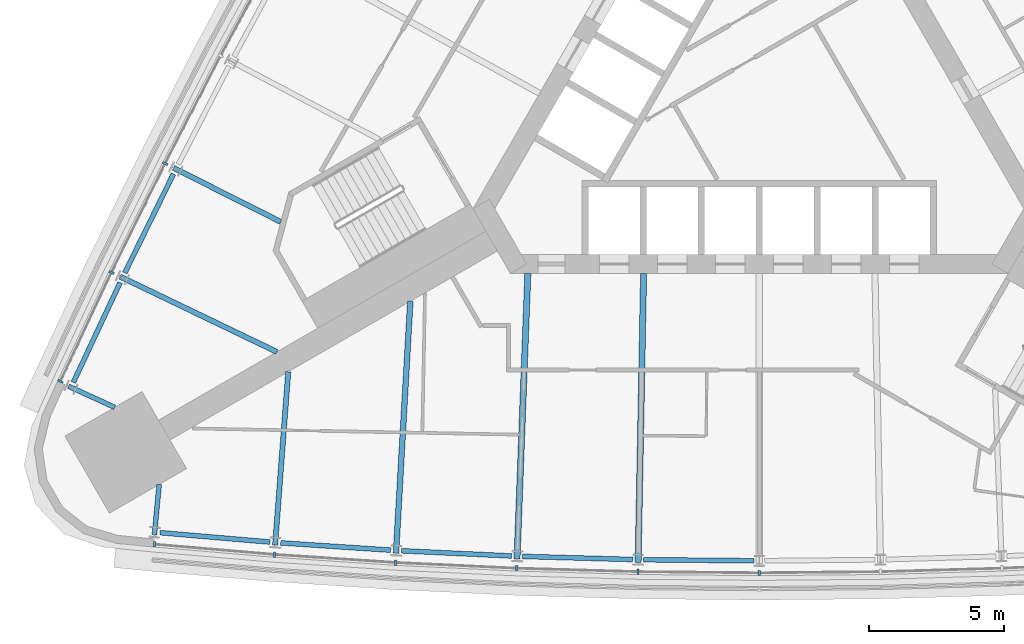
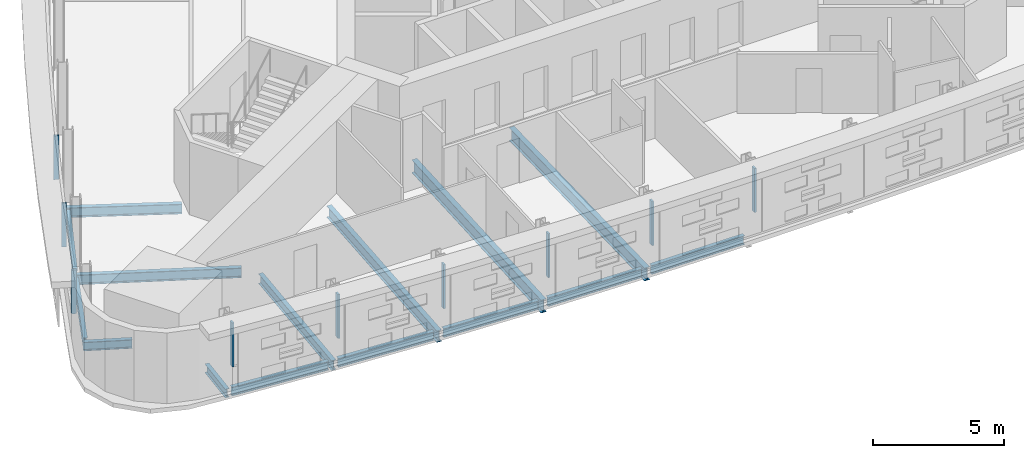
# One storey, part 2 of 15: 15 beams, 9 members, 2 elements without a shape of their own.
"""IFC4 building model written with IfcOpenShell, lengths in metres."""

from ifc_helpers import new_model, si_unit, direction, frame, origin, origin_2d, place, context, subcontext, project, spatial, rectangle, i_section, extrude, material, material_profile, profile_set, type_object, element, aggregate, save


model = new_model("IFC4")

# Units and contexts
model_context = context("Model", 3, precision=1e-05, world=origin(), true_north=direction((0.0, 1.0)))
body_context = subcontext(model_context, "Body", "Model", "MODEL_VIEW")
ifc_project = project(units=[si_unit("LENGTHUNIT", "METRE"), si_unit("AREAUNIT", "SQUARE_METRE"), si_unit("VOLUMEUNIT", "CUBIC_METRE"), si_unit("PLANEANGLEUNIT", "RADIAN"), si_unit("MASSUNIT", "GRAM", prefix="KILO")], contexts=[model_context])

# Site, building, storey
site_placement = place(None, origin())
site = spatial("IfcSite", under=ifc_project, at=site_placement, CompositionType="ELEMENT")
building_placement = place(site_placement, origin())
building = spatial("IfcBuilding", under=site, at=building_placement, Name="Noor Cloister Tower", CompositionType="ELEMENT")
storey_placement = place(building_placement, frame((0.0, 0.0, 45.60009765625)))
storey = spatial("IfcBuildingStorey", under=building, at=storey_placement, Name="L11", CompositionType="ELEMENT", Elevation=45.60009765625)

# Curtain wall, members
ifc_material_1 = material(Name="Aluminium 6063-T6 anodised", Category="aluminium")
curtain_wall_type = type_object("IfcCurtainWallType", Name="Ribbon curtain wall, lower tower CW1", PredefinedType="NOTDEFINED", material=ifc_material_1)
curtain_wall_1_placement = place(storey_placement, origin())
curtain_wall_1 = element("IfcCurtainWall", 1, at=curtain_wall_1_placement, inside=storey, type_object=curtain_wall_type, Name="CW1 L11 NW run 1", PredefinedType="NOTDEFINED")
ifc_material_2 = material(Name="Aluminium 6063-T6 anodised", Category="aluminium")
ifc_material_profile_1 = material_profile(ifc_material_2, rectangle(XDim=0.199951171875, YDim=0.080078125, at=origin_2d()), Name="200 x 80 mullion")
ifc_profile_set_1 = profile_set([ifc_material_profile_1], Name="Aluminium 6063-T6 anodised")
member_type = type_object("IfcMemberType", Name="Mullion CW1 80 x 200", PredefinedType="MULLION", material=ifc_profile_set_1)
member_1_placement = place(storey_placement, frame((-22.027587890625, -2.85595703125, 1.099853515625), z_axis=(0.0, 0.0, 1.0), x_axis=(0.89298996469, -0.450076574554, 0.0)))
member_1 = element("IfcMember", 2, at=member_1_placement, type_object=member_type, Name="CW1 mullion 9", PredefinedType="MULLION", context=body_context, shape_type="SweptSolid", body=[
    extrude(rectangle(XDim=0.199951171875, YDim=0.080078125, at=origin_2d()), origin(), (0.0, 0.0, 1.0), 2.050048828125),
])
member_2_placement = place(storey_placement, frame((-24.013916015625, -6.8916015625, 1.099853515625), z_axis=(0.0, 0.0, 1.0), x_axis=(0.901343302509, -0.433105357877, 0.0)))
member_2 = element("IfcMember", 3, at=member_2_placement, type_object=member_type, Name="CW1 mullion 10", PredefinedType="MULLION", context=body_context, shape_type="SweptSolid", body=[
    extrude(rectangle(XDim=0.199951171875, YDim=0.080078125, at=origin_2d()), origin(), (0.0, 0.0, 1.0), 2.050048828125),
])
member_3_placement = place(storey_placement, frame((-25.906982421875, -10.9287109375, 1.099853515625), z_axis=(0.0, 0.0, 1.0), x_axis=(0.905399212131, -0.424561263744, 0.0)))
member_3 = element("IfcMember", 4, at=member_3_placement, type_object=member_type, Name="CW1 mullion 11", PredefinedType="MULLION", context=body_context, shape_type="SweptSolid", body=[
    extrude(rectangle(XDim=0.199951171875, YDim=0.080078125, at=origin_2d()), origin(), (0.0, 0.0, 1.0), 2.050048828125),
])
aggregate(curtain_wall_1, [member_1, member_2, member_3])

curtain_wall_2_placement = place(storey_placement, origin())
curtain_wall_2 = element("IfcCurtainWall", 5, at=curtain_wall_2_placement, inside=storey, type_object=curtain_wall_type, Name="CW1 L11 S run 2", PredefinedType="NOTDEFINED")
member_4_placement = place(storey_placement, frame((-22.418212890625, -16.9716796875, 1.099853515625), z_axis=(0.0, 0.0, 1.0), x_axis=(0.085018766201, 0.996379350144, 0.0)))
member_4 = element("IfcMember", 6, at=member_4_placement, type_object=member_type, Name="CW1 mullion 1", PredefinedType="MULLION", context=body_context, shape_type="SweptSolid", body=[
    extrude(rectangle(XDim=0.199951171875, YDim=0.080078125, at=origin_2d()), origin(), (0.0, 0.0, 1.0), 2.050048828125),
])
member_5_placement = place(storey_placement, frame((-17.975341796875, -17.350830078125, 1.099853515625), z_axis=(0.0, 0.0, 1.0), x_axis=(0.075591408818, 0.997138876442, 0.0)))
member_5 = element("IfcMember", 7, at=member_5_placement, type_object=member_type, Name="CW1 mullion 2", PredefinedType="MULLION", context=body_context, shape_type="SweptSolid", body=[
    extrude(rectangle(XDim=0.199951171875, YDim=0.080078125, at=origin_2d()), origin(), (0.0, 0.0, 1.0), 2.050048828125),
])
member_6_placement = place(storey_placement, frame((-13.487060546875, -17.6484375, 1.099853515625), z_axis=(0.0, 0.0, 1.0), x_axis=(0.056717235133, 0.998390282023, 0.0)))
member_6 = element("IfcMember", 8, at=member_6_placement, type_object=member_type, Name="CW1 mullion 3", PredefinedType="MULLION", context=body_context, shape_type="SweptSolid", body=[
    extrude(rectangle(XDim=0.199951171875, YDim=0.080078125, at=origin_2d()), origin(), (0.0, 0.0, 1.0), 2.050048828125),
])
member_7_placement = place(storey_placement, frame((-8.994140625, -17.861083984375, 1.099853515625), z_axis=(0.0, 0.0, 1.0), x_axis=(0.037822767995, 0.999284463114, 0.0)))
member_7 = element("IfcMember", 9, at=member_7_placement, type_object=member_type, Name="CW1 mullion 4", PredefinedType="MULLION", context=body_context, shape_type="SweptSolid", body=[
    extrude(rectangle(XDim=0.199951171875, YDim=0.080078125, at=origin_2d()), origin(), (0.0, 0.0, 1.0), 2.050048828125),
])
member_8_placement = place(storey_placement, frame((-4.497802734375, -17.988525390625, 1.099853515625), z_axis=(0.0, 0.0, 1.0), x_axis=(0.018914767854, 0.999821099776, 0.0)))
member_8 = element("IfcMember", 10, at=member_8_placement, type_object=member_type, Name="CW1 mullion 5", PredefinedType="MULLION", context=body_context, shape_type="SweptSolid", body=[
    extrude(rectangle(XDim=0.199951171875, YDim=0.080078125, at=origin_2d()), origin(), (0.0, 0.0, 1.0), 2.050048828125),
])
member_9_placement = place(storey_placement, frame((0.0, -18.03125, 1.099853515625), z_axis=(0.0, 0.0, 1.0), x_axis=(0.0, 1.0, 0.0)))
member_9 = element("IfcMember", 11, at=member_9_placement, type_object=member_type, Name="CW1 mullion 6", PredefinedType="MULLION", context=body_context, shape_type="SweptSolid", body=[
    extrude(rectangle(XDim=0.199951171875, YDim=0.080078125, at=origin_2d()), origin(), (0.0, 0.0, 1.0), 2.050048828125),
])
aggregate(curtain_wall_2, [member_4, member_5, member_6, member_7, member_8, member_9])

# Beams
ifc_material_3 = material(Name="Steel ASTM A992 Gr 50", Category="steel")
ifc_material_profile_2 = material_profile(ifc_material_3, i_section(OverallWidth=0.177978515625, OverallDepth=0.406005859375, WebThickness=0.0078125, FlangeThickness=0.0126953125, FilletRadius=0.01025390625, at=origin_2d()), Name="W410x60")
ifc_profile_set_2 = profile_set([ifc_material_profile_2], Name="Steel ASTM A992 Gr 50")
beam_type_1 = type_object("IfcBeamType", Name="Radial beam W410x60", PredefinedType="BEAM", material=ifc_profile_set_2)
for number, where, z_axis, x_axis, name in (
    (12, (-25.6025390625, -11.111083984375, -0.403076171875), (0.909401352504, -0.415919679823, 0.0), (0.415919679823, 0.909401352504, 0.0), "Radial beam NW 11 L11"),
    (13, (-22.423583984375, -16.616943359375, -0.403076171875), (0.094348489313, 0.995539232057, 0.0), (-0.995539232057, 0.094348489313, 0.0), "Radial beam S 01 L11"),
):
    element("IfcBeam", number, at=place(storey_placement, frame(where, z_axis=z_axis, x_axis=x_axis)), inside=storey, type_object=beam_type_1, Name=name, PredefinedType="BEAM", context=body_context, shape_type="SweptSolid", body=[
        extrude(i_section(OverallWidth=0.177978515625, OverallDepth=0.406005859375, WebThickness=0.0078125, FlangeThickness=0.0126953125, FilletRadius=0.01025390625, at=origin_2d()), origin(), (0.0, 0.0, 1.0), 1.8759765625),
    ])
ifc_material_4 = material(Name="Steel ASTM A992 Gr 50", Category="steel")
ifc_material_profile_3 = material_profile(ifc_material_4, i_section(OverallWidth=0.19091796875, OverallDepth=0.45703125, WebThickness=0.009033203125, FlangeThickness=0.014404296875, FilletRadius=0.01025390625, at=origin_2d()), Name="W460x74")
ifc_profile_set_3 = profile_set([ifc_material_profile_3], Name="Steel ASTM A992 Gr 50")
beam_type_2 = type_object("IfcBeamType", Name="Radial beam W460x74", PredefinedType="BEAM", material=ifc_profile_set_3)
beam_1_placement = place(storey_placement, frame((-21.712158203125, -3.014892578125, -0.4287109375), z_axis=(0.892985724699, -0.450084986956, 0.0), x_axis=(0.450084986956, 0.892985724699, 0.0)))
element("IfcBeam", 14, at=beam_1_placement, inside=storey, type_object=beam_type_2, Name="Radial beam NW 09 L11", PredefinedType="BEAM", context=body_context, shape_type="SweptSolid", body=[
    extrude(i_section(OverallWidth=0.19091796875, OverallDepth=0.45703125, WebThickness=0.009033203125, FlangeThickness=0.014404296875, FilletRadius=0.01025390625, at=origin_2d()), origin(), (0.0, 0.0, 1.0), 4.45166015625),
])
beam_2_placement = place(storey_placement, frame((-23.69580078125, -7.04443359375, -0.4287109375), z_axis=(0.901339737011, -0.43311277802, 0.0), x_axis=(0.43311277802, 0.901339737011, 0.0)))
element("IfcBeam", 15, at=beam_2_placement, inside=storey, type_object=beam_type_2, Name="Radial beam NW 10 L11", PredefinedType="BEAM", context=body_context, shape_type="SweptSolid", body=[
    extrude(i_section(OverallWidth=0.19091796875, OverallDepth=0.45703125, WebThickness=0.009033203125, FlangeThickness=0.014404296875, FilletRadius=0.01025390625, at=origin_2d()), origin(), (0.0, 0.0, 1.0), 6.4453125),
])
beam_3_placement = place(storey_placement, frame((-17.948486328125, -16.998779296875, -0.4287109375), z_axis=(0.07556964555, 0.99714052604, 0.0), x_axis=(-0.99714052604, 0.07556964555, 0.0)))
element("IfcBeam", 16, at=beam_3_placement, inside=storey, type_object=beam_type_2, Name="Radial beam S 02 L11", PredefinedType="BEAM", context=body_context, shape_type="SweptSolid", body=[
    extrude(i_section(OverallWidth=0.19091796875, OverallDepth=0.45703125, WebThickness=0.009033203125, FlangeThickness=0.014404296875, FilletRadius=0.01025390625, at=origin_2d()), origin(), (0.0, 0.0, 1.0), 6.445068359375),
])
ifc_material_5 = material(Name="Steel ASTM A992 Gr 50", Category="steel")
ifc_material_profile_4 = material_profile(ifc_material_5, i_section(OverallWidth=0.208984375, OverallDepth=0.532958984375, WebThickness=0.01025390625, FlangeThickness=0.015625, FilletRadius=0.0126953125, at=origin_2d()), Name="W530x92")
ifc_profile_set_4 = profile_set([ifc_material_profile_4], Name="Steel ASTM A992 Gr 50")
beam_type_3 = type_object("IfcBeamType", Name="Radial beam W530x92", PredefinedType="BEAM", material=ifc_profile_set_4)
beam_4_placement = place(storey_placement, frame((-13.467041015625, -17.2958984375, -0.466552734375), z_axis=(0.05670628497, 0.998390904028, 0.0), x_axis=(-0.998390904028, 0.05670628497, 0.0)))
element("IfcBeam", 17, at=beam_4_placement, inside=storey, type_object=beam_type_3, Name="Radial beam S 03 L11", PredefinedType="BEAM", context=body_context, shape_type="SweptSolid", body=[
    extrude(i_section(OverallWidth=0.208984375, OverallDepth=0.532958984375, WebThickness=0.01025390625, FlangeThickness=0.015625, FilletRadius=0.0126953125, at=origin_2d()), origin(), (0.0, 0.0, 1.0), 9.351318359375),
])
ifc_material_6 = material(Name="Steel ASTM A992 Gr 50", Category="steel")
ifc_material_profile_5 = material_profile(ifc_material_6, i_section(OverallWidth=0.22802734375, OverallDepth=0.60205078125, WebThickness=0.010498046875, FlangeThickness=0.014892578125, FilletRadius=0.0126953125, at=origin_2d()), Name="W610x101")
ifc_profile_set_5 = profile_set([ifc_material_profile_5], Name="Steel ASTM A992 Gr 50")
beam_type_4 = type_object("IfcBeamType", Name="Radial beam W610x101", PredefinedType="BEAM", material=ifc_profile_set_5)
beam_5_placement = place(storey_placement, frame((-8.980712890625, -17.50830078125, -0.5009765625), z_axis=(0.037816754955, 0.999284690689, 0.0), x_axis=(-0.999284690689, 0.037816754955, 0.0)))
element("IfcBeam", 18, at=beam_5_placement, inside=storey, type_object=beam_type_4, Name="Radial beam S 04 L11", PredefinedType="BEAM", context=body_context, shape_type="SweptSolid", body=[
    extrude(i_section(OverallWidth=0.22802734375, OverallDepth=0.60205078125, WebThickness=0.010498046875, FlangeThickness=0.014892578125, FilletRadius=0.0126953125, at=origin_2d()), origin(), (0.0, 0.0, 1.0), 10.587646484375),
])
beam_6_placement = place(storey_placement, frame((-4.4912109375, -17.6357421875, -0.5009765625), z_axis=(0.018921323587, 0.999820975732, 0.0), x_axis=(-0.999820975732, 0.018921323587, 0.0)))
element("IfcBeam", 19, at=beam_6_placement, inside=storey, type_object=beam_type_4, Name="Radial beam S 05 L11", PredefinedType="BEAM", context=body_context, shape_type="SweptSolid", body=[
    extrude(i_section(OverallWidth=0.22802734375, OverallDepth=0.60205078125, WebThickness=0.010498046875, FlangeThickness=0.014892578125, FilletRadius=0.0126953125, at=origin_2d()), origin(), (0.0, 0.0, 1.0), 10.70947265625),
])
ifc_material_7 = material(Name="Steel ASTM A992 Gr 50", Category="steel")
ifc_material_profile_6 = material_profile(ifc_material_7, i_section(OverallWidth=0.177978515625, OverallDepth=0.406005859375, WebThickness=0.0078125, FlangeThickness=0.0126953125, FilletRadius=0.01025390625, at=origin_2d()), Name="W410x60")
ifc_profile_set_6 = profile_set([ifc_material_profile_6], Name="Steel ASTM A992 Gr 50")
beam_type_5 = type_object("IfcBeamType", Name="Spandrel beam W410x60", PredefinedType="SPANDREL", material=ifc_profile_set_6)
for number, where, z_axis, x_axis, name in (
    (20, (-21.71484375, -3.23974609375, -0.403076171875), (-0.441611503517, -0.897206375346, 0.0), (0.897206375346, -0.441611503517, 0.0), "Spandrel beam NW 09 L11"),
    (21, (-23.694091796875, -7.26953125, -0.403076171875), (-0.424579318133, -0.905390745818, 0.0), (0.905390745818, -0.424579318133, 0.0), "Spandrel beam NW 10 L11"),
):
    element("IfcBeam", number, at=place(storey_placement, frame(where, z_axis=z_axis, x_axis=x_axis)), inside=storey, type_object=beam_type_5, Name=name, PredefinedType="SPANDREL", context=body_context, shape_type="SweptSolid", body=[
        extrude(i_section(OverallWidth=0.177978515625, OverallDepth=0.406005859375, WebThickness=0.0078125, FlangeThickness=0.0126953125, FilletRadius=0.01025390625, at=origin_2d()), origin(), (0.0, 0.0, 1.0), 4.08544921875),
    ])
for number, where, z_axis, x_axis, name in (
    (22, (-22.21337890625, -16.53759765625, -0.403076171875), (0.996378105805, -0.085033348001, 0.0), (0.085033348001, 0.996378105805, 0.0), "Spandrel beam S 01 L11"),
    (23, (-17.73974609375, -16.91552734375, -0.403076171875), (0.997809679637, -0.066150156627, 0.0), (0.066150156627, 0.997809679637, 0.0), "Spandrel beam S 02 L11"),
    (24, (-13.259765625, -17.208740234375, -0.403076171875), (0.998882288685, -0.047267042974, 0.0), (0.047267042974, 0.998882288685, 0.0), "Spandrel beam S 03 L11"),
    (25, (-8.775146484375, -17.4169921875, -0.403076171875), (0.999597091295, -0.028384063747, 0.0), (0.028384063747, 0.999597091295, 0.0), "Spandrel beam S 04 L11"),
    (26, (-4.287353515625, -17.54052734375, -0.403076171875), (0.999954862727, -0.009501184605, 0.0), (0.009501184605, 0.999954862727, 0.0), "Spandrel beam S 05 L11"),
):
    element("IfcBeam", number, at=place(storey_placement, frame(where, z_axis=z_axis, x_axis=x_axis)), inside=storey, type_object=beam_type_5, Name=name, PredefinedType="SPANDREL", context=body_context, shape_type="SweptSolid", body=[
        extrude(i_section(OverallWidth=0.177978515625, OverallDepth=0.406005859375, WebThickness=0.0078125, FlangeThickness=0.0126953125, FilletRadius=0.01025390625, at=origin_2d()), origin(), (0.0, 0.0, 1.0), 4.085693359375),
    ])

save(model, "model.ifc")
